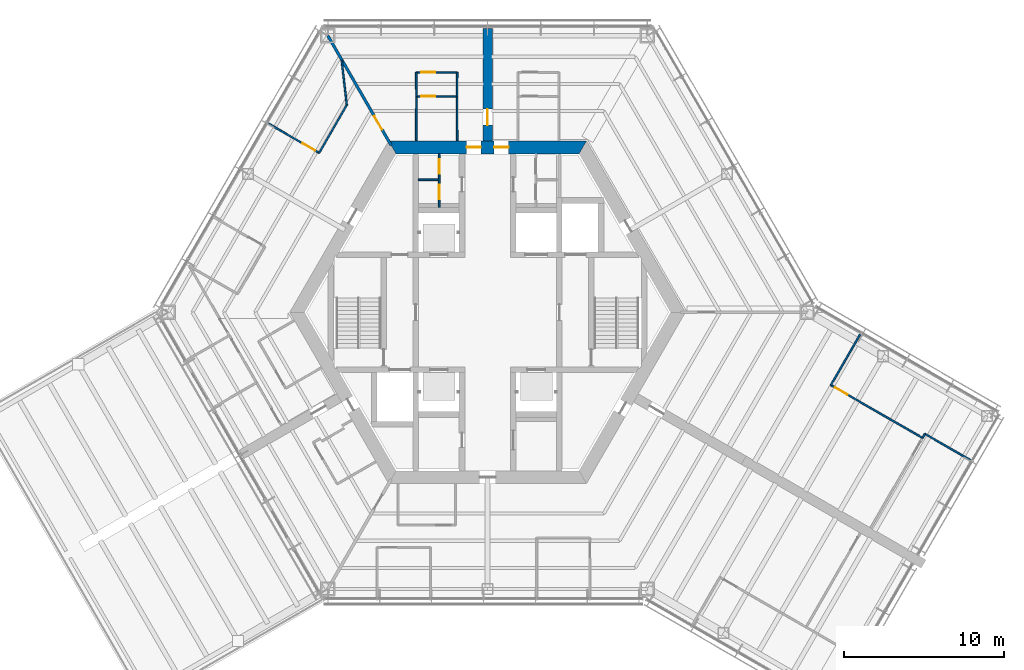
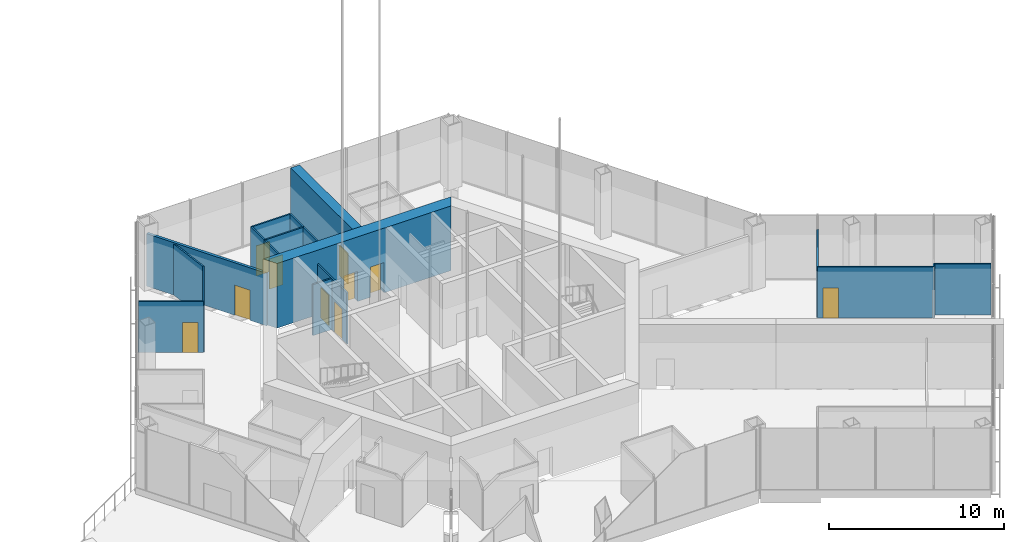
# One storey, part 11 of 17: 18 walls, 10 doors, 10 openings.
"""IFC4 building model written with IfcOpenShell, lengths in metres."""

from ifc_helpers import new_model, si_unit, direction, frame, frame_2d, origin, place, context, subcontext, project, spatial, polyline, rectangle, outline, extrude, material, layer, layer_set, type_object, element, fill, save


model = new_model("IFC4")

# Units and contexts
model_context = context("Model", 3, precision=1e-05, world=origin(), true_north=direction((0.0, 1.0)))
body_context = subcontext(model_context, "Body", "Model", "MODEL_VIEW")
ifc_project = project(units=[si_unit("LENGTHUNIT", "METRE"), si_unit("AREAUNIT", "SQUARE_METRE"), si_unit("VOLUMEUNIT", "CUBIC_METRE"), si_unit("PLANEANGLEUNIT", "RADIAN"), si_unit("MASSUNIT", "GRAM", prefix="KILO")], contexts=[model_context])

# Site, building, storey
site_placement = place(None, origin())
site = spatial("IfcSite", under=ifc_project, at=site_placement, CompositionType="ELEMENT")
building_placement = place(site_placement, origin())
building = spatial("IfcBuilding", under=site, at=building_placement, Name="Kasaneha Research Tower", CompositionType="ELEMENT")
storey_placement = place(building_placement, frame((0.0, 0.0, 208.300048828125)))
storey = spatial("IfcBuildingStorey", under=building, at=storey_placement, Name="L52", CompositionType="ELEMENT", Elevation=208.300048828125)

# Wall, openings, doors
ifc_material_1 = material(Name="Concrete Fc60", Category="concrete")
ifc_layer_1 = layer(ifc_material_1, 0.800048828125)
ifc_layer_set_1 = layer_set([ifc_layer_1], Name="Core wall 800 Fc60")
wall_type_1 = type_object("IfcWallType", Name="Core wall 800 Fc60", PredefinedType="SHEAR", material=ifc_layer_set_1)
wall_1_placement = place(storey_placement, frame((5.961181640625, 10.324951171875, 0.0), z_axis=(0.0, 0.0, 1.0), x_axis=(-1.0, 0.0, 0.0)))
wall_1 = element("IfcWall", 1, at=wall_1_placement, inside=storey, type_object=wall_type_1, Name="Core wall 090 L52", PredefinedType="SHEAR", context=body_context, shape_type="SweptSolid", body=[
    extrude(outline(polyline([(-0.23095703125, -0.39990234375), (4.648681640625, -0.39990234375), (5.548583984375, -0.39990234375), (6.37353515625, -0.39990234375), (7.2734375, -0.39990234375), (12.1533203125, -0.39990234375), (11.69140625, 0.39990234375), (7.2734375, 0.39990234375), (6.37353515625, 0.39990234375), (5.548583984375, 0.39990234375), (4.648681640625, 0.39990234375), (0.23095703125, 0.39990234375), (-0.23095703125, -0.39990234375)])), origin(), (0.0, 0.0, 1.0), 4.5),
])
opening_1_placement = place(wall_1_placement, frame((6.37353515625, 0.0, 0.0)))
opening_1 = element("IfcOpeningElement", 2, at=opening_1_placement, cuts=wall_1, Name="Opening L52-D01", PredefinedType="OPENING", context=body_context, shape_type="SweptSolid", body=[
    extrude(rectangle(XDim=0.89990234375, YDim=2.10009765625, at=frame_2d((0.449951171875, 1.050048828125))), frame((0.0, 0.41015625, 0.0), z_axis=(0.0, -1.0, 0.0), x_axis=(1.0, 0.0, 0.0)), (0.0, 0.0, 1.0), 0.820068359375),
])
opening_2_placement = place(wall_1_placement, frame((4.648681640625, 0.0, 0.0)))
opening_2 = element("IfcOpeningElement", 3, at=opening_2_placement, cuts=wall_1, Name="Opening L52-D02", PredefinedType="OPENING", context=body_context, shape_type="SweptSolid", body=[
    extrude(rectangle(XDim=0.89990234375, YDim=2.10009765625, at=frame_2d((0.449951171875, 1.050048828125))), frame((0.0, 0.41015625, 0.0), z_axis=(0.0, -1.0, 0.0), x_axis=(1.0, 0.0, 0.0)), (0.0, 0.0, 1.0), 0.820068359375),
])
ifc_material_2 = material(Name="Steel", Category="steel")
door_type_1 = type_object("IfcDoorType", Name="Toilet door FD20 900x2100", OperationType="NOTDEFINED", PredefinedType="DOOR", material=ifc_material_2)
door_1_placement = place(opening_1_placement, origin())
door_1 = element("IfcDoor", 4, at=door_1_placement, inside=storey, type_object=door_type_1, Name="Core door north 1 L52-D01", OperationType="SINGLE_SWING_RIGHT", OverallHeight=2.10009765625, OverallWidth=0.89990234375, PredefinedType="DOOR", context=body_context, shape_type="SweptSolid", body=[
    extrude(rectangle(XDim=0.89990234375, YDim=2.10009765625, at=frame_2d((0.449951171875, 1.050048828125))), frame((0.0, 0.02490234375, 0.0), z_axis=(0.0, -1.0, 0.0), x_axis=(1.0, 0.0, 0.0)), (0.0, 0.0, 1.0), 0.050048828125),
])
fill(opening_1, door_1)
door_2_placement = place(opening_2_placement, origin())
door_2 = element("IfcDoor", 5, at=door_2_placement, inside=storey, type_object=door_type_1, Name="Core door north 2 L52-D02", OperationType="SINGLE_SWING_LEFT", OverallHeight=2.10009765625, OverallWidth=0.89990234375, PredefinedType="DOOR", context=body_context, shape_type="SweptSolid", body=[
    extrude(rectangle(XDim=0.89990234375, YDim=2.10009765625, at=frame_2d((0.449951171875, 1.050048828125))), frame((0.0, 0.02490234375, 0.0), z_axis=(0.0, -1.0, 0.0), x_axis=(1.0, 0.0, 0.0)), (0.0, 0.0, 1.0), 0.050048828125),
])
fill(opening_2, door_2)

ifc_material_3 = material(Name="Gypsum board on steel studs, one layer each side", Category="steel")
ifc_layer_2 = layer(ifc_material_3, 0.10009765625)
ifc_layer_set_2 = layer_set([ifc_layer_2], Name="Office partition 100")
wall_type_2 = type_object("IfcWallType", Name="Office partition 100", PredefinedType="PARTITIONING", material=ifc_layer_set_2)
wall_2_placement = place(storey_placement, frame((-3.02490234375, 6.574951171875, 0.0), z_axis=(0.0, 0.0, 1.0), x_axis=(0.0, 1.0, 0.0)))
wall_2 = element("IfcWall", 6, at=wall_2_placement, inside=storey, type_object=wall_type_2, Name="Office partition TBM1 L52", PredefinedType="PARTITIONING", context=body_context, shape_type="SweptSolid", body=[
    extrude(rectangle(XDim=3.35009765625, YDim=0.10009765625, at=frame_2d((1.675048828125, 0.0))), origin(), (0.0, 0.0, 1.0), 3.550048828125),
])
opening_3_placement = place(wall_2_placement, frame((0.512451171875, 0.0, 0.0)))
opening_3 = element("IfcOpeningElement", 7, at=opening_3_placement, cuts=wall_2, Name="Opening L52-D20", PredefinedType="OPENING", context=body_context, shape_type="SweptSolid", body=[
    extrude(rectangle(XDim=0.89990234375, YDim=2.10009765625, at=frame_2d((0.449951171875, 1.050048828125))), frame((0.0, 0.06005859375, 0.0), z_axis=(0.0, -1.0, 0.0), x_axis=(1.0, 0.0, 0.0)), (0.0, 0.0, 1.0), 0.1201171875),
])
opening_4_placement = place(wall_2_placement, frame((2.112548828125, 0.0, 0.0)))
opening_4 = element("IfcOpeningElement", 8, at=opening_4_placement, cuts=wall_2, Name="Opening L52-D21", PredefinedType="OPENING", context=body_context, shape_type="SweptSolid", body=[
    extrude(rectangle(XDim=0.89990234375, YDim=2.10009765625, at=frame_2d((0.449951171875, 1.050048828125))), frame((0.0, 0.06005859375, 0.0), z_axis=(0.0, -1.0, 0.0), x_axis=(1.0, 0.0, 0.0)), (0.0, 0.0, 1.0), 0.1201171875),
])
ifc_material_4 = material(Name="Steel", Category="steel")
door_type_2 = type_object("IfcDoorType", Name="Toilet lobby door FD30 900x2100", OperationType="NOTDEFINED", PredefinedType="DOOR", material=ifc_material_4)
door_3_placement = place(opening_3_placement, origin())
door_3 = element("IfcDoor", 9, at=door_3_placement, inside=storey, type_object=door_type_2, Name="Men's WC door L52-D20", OperationType="SINGLE_SWING_RIGHT", OverallHeight=2.10009765625, OverallWidth=0.89990234375, PredefinedType="DOOR", context=body_context, shape_type="SweptSolid", body=[
    extrude(rectangle(XDim=0.89990234375, YDim=2.10009765625, at=frame_2d((0.449951171875, 1.050048828125))), frame((0.0, 0.02490234375, 0.0), z_axis=(0.0, -1.0, 0.0), x_axis=(1.0, 0.0, 0.0)), (0.0, 0.0, 1.0), 0.050048828125),
])
fill(opening_3, door_3)
door_4_placement = place(opening_4_placement, origin())
door_4 = element("IfcDoor", 10, at=door_4_placement, inside=storey, type_object=door_type_2, Name="Cleaner's store door L52-D21", OperationType="SINGLE_SWING_RIGHT", OverallHeight=2.10009765625, OverallWidth=0.89990234375, PredefinedType="DOOR", context=body_context, shape_type="SweptSolid", body=[
    extrude(rectangle(XDim=0.89990234375, YDim=2.10009765625, at=frame_2d((0.449951171875, 1.050048828125))), frame((0.0, 0.02490234375, 0.0), z_axis=(0.0, -1.0, 0.0), x_axis=(1.0, 0.0, 0.0)), (0.0, 0.0, 1.0), 0.050048828125),
])
fill(opening_4, door_4)

# Wall
wall_3_placement = place(storey_placement, frame((-3.074951171875, 8.300048828125, 0.0), z_axis=(0.0, 0.0, 1.0), x_axis=(-1.0, 0.0, 0.0)))
element("IfcWall", 11, at=wall_3_placement, inside=storey, type_object=wall_type_2, Name="Office partition TBM2 L52", PredefinedType="PARTITIONING", context=body_context, shape_type="SweptSolid", body=[
    extrude(rectangle(XDim=1.25, YDim=0.10009765625, at=frame_2d((0.625, 0.0))), origin(), (0.0, 0.0, 1.0), 3.550048828125),
])

# Wall, opening, door
wall_4_placement = place(storey_placement, frame((-4.465087890625, 13.52001953125, 0.0), z_axis=(0.0, 0.0, 1.0), x_axis=(1.0, 0.0, 0.0)))
wall_4 = element("IfcWall", 12, at=wall_4_placement, inside=storey, type_object=wall_type_2, Name="Office partition FAW01 L52", PredefinedType="PARTITIONING", context=body_context, shape_type="SweptSolid", body=[
    extrude(rectangle(XDim=2.565185546875, YDim=0.10009765625, at=frame_2d((1.28271484375, 0.0))), origin(), (0.0, 0.0, 1.0), 3.550048828125),
])
opening_5_placement = place(wall_4_placement, frame((0.300048828125, 0.0, 0.0)))
opening_5 = element("IfcOpeningElement", 13, at=opening_5_placement, cuts=wall_4, Name="Opening L52-D29", PredefinedType="OPENING", context=body_context, shape_type="SweptSolid", body=[
    extrude(rectangle(XDim=0.89990234375, YDim=2.10009765625, at=frame_2d((0.449951171875, 1.050048828125))), frame((0.0, 0.06005859375, 0.0), z_axis=(0.0, -1.0, 0.0), x_axis=(1.0, 0.0, 0.0)), (0.0, 0.0, 1.0), 0.1201171875),
])
door_5_placement = place(opening_5_placement, origin())
door_5 = element("IfcDoor", 14, at=door_5_placement, inside=storey, type_object=door_type_2, Name="Men's WC door L52-D29", OperationType="SINGLE_SWING_LEFT", OverallHeight=2.10009765625, OverallWidth=0.89990234375, PredefinedType="DOOR", context=body_context, shape_type="SweptSolid", body=[
    extrude(rectangle(XDim=0.89990234375, YDim=2.10009765625, at=frame_2d((0.449951171875, 1.050048828125))), frame((0.0, 0.02490234375, 0.0), z_axis=(0.0, -1.0, 0.0), x_axis=(1.0, 0.0, 0.0)), (0.0, 0.0, 1.0), 0.050048828125),
])
fill(opening_5, door_5)

# Walls
for number, where, z_axis, x_axis, name in (
    (15, (-4.465087890625, 10.7451171875, 0.0), (0.0, 0.0, 1.0), (0.001668713644, 0.999998607696, 0.0), "Office partition FAW02 L52"),
    (16, (-1.90478515625, 13.52490234375, 0.0), (0.0, 0.0, 1.0), (0.001756540413, -0.999998457282, 0.0), "Office partition FAW03 L52"),
):
    element("IfcWall", number, at=place(storey_placement, frame(where, z_axis=z_axis, x_axis=x_axis)), inside=storey, type_object=wall_type_2, Name=name, PredefinedType="PARTITIONING", context=body_context, shape_type="SweptSolid", body=[
        extrude(rectangle(XDim=2.77978515625, YDim=0.10009765625, at=frame_2d((1.389892578125, 0.0))), origin(), (0.0, 0.0, 1.0), 3.550048828125),
    ])

# Wall, opening, door
wall_5_placement = place(storey_placement, frame((-4.465087890625, 15.02490234375, 0.0), z_axis=(0.0, 0.0, 1.0), x_axis=(1.0, 0.0, 0.0)))
wall_5 = element("IfcWall", 17, at=wall_5_placement, inside=storey, type_object=wall_type_2, Name="Office partition FAW04 L52", PredefinedType="PARTITIONING", context=body_context, shape_type="SweptSolid", body=[
    extrude(rectangle(XDim=2.565185546875, YDim=0.10009765625, at=frame_2d((1.28271484375, 0.0))), origin(), (0.0, 0.0, 1.0), 3.550048828125),
])
opening_6_placement = place(wall_5_placement, frame((0.300048828125, 0.0, 0.0)))
opening_6 = element("IfcOpeningElement", 18, at=opening_6_placement, cuts=wall_5, Name="Opening L52-D30", PredefinedType="OPENING", context=body_context, shape_type="SweptSolid", body=[
    extrude(rectangle(XDim=0.89990234375, YDim=2.10009765625, at=frame_2d((0.449951171875, 1.050048828125))), frame((0.0, 0.06005859375, 0.0), z_axis=(0.0, -1.0, 0.0), x_axis=(1.0, 0.0, 0.0)), (0.0, 0.0, 1.0), 0.1201171875),
])
door_6_placement = place(opening_6_placement, origin())
door_6 = element("IfcDoor", 19, at=door_6_placement, inside=storey, type_object=door_type_2, Name="Toilet lobby door L52-D30", OperationType="SINGLE_SWING_LEFT", OverallHeight=2.10009765625, OverallWidth=0.89990234375, PredefinedType="DOOR", context=body_context, shape_type="SweptSolid", body=[
    extrude(rectangle(XDim=0.89990234375, YDim=2.10009765625, at=frame_2d((0.449951171875, 1.050048828125))), frame((0.0, 0.02490234375, 0.0), z_axis=(0.0, -1.0, 0.0), x_axis=(1.0, 0.0, 0.0)), (0.0, 0.0, 1.0), 0.050048828125),
])
fill(opening_6, door_6)

# Walls
for number, where, z_axis, x_axis, name in (
    (20, (-4.46044921875, 13.52490234375, 0.0), (0.0, 0.0, 1.0), (-0.00309243313, 0.999995218417, 0.0), "Office partition FAW05 L52"),
    (21, (-1.89990234375, 15.02490234375, 0.0), (0.0, 0.0, 1.0), (-0.003255191087, -0.999994701851, 0.0), "Office partition FAW06 L52"),
):
    element("IfcWall", number, at=place(storey_placement, frame(where, z_axis=z_axis, x_axis=x_axis)), inside=storey, type_object=wall_type_2, Name=name, PredefinedType="PARTITIONING", context=body_context, shape_type="SweptSolid", body=[
        extrude(rectangle(XDim=1.5, YDim=0.10009765625, at=frame_2d((0.75, 0.0))), origin(), (0.0, 0.0, 1.0), 3.550048828125),
    ])

# Wall, opening, door
wall_6_placement = place(storey_placement, frame((-10.54296875, 9.97998046875, 0.0), z_axis=(0.0, 0.0, 1.0), x_axis=(-0.866031296205, 0.499989793889, 0.0)))
wall_6 = element("IfcWall", 22, at=wall_6_placement, inside=storey, type_object=wall_type_2, Name="Office partition FBN01 L52", PredefinedType="PARTITIONING", context=body_context, shape_type="SweptSolid", body=[
    extrude(rectangle(XDim=3.68896484375, YDim=0.10009765625, at=frame_2d((1.844482421875, 0.0))), origin(), (0.0, 0.0, 1.0), 3.550048828125),
])
opening_7_placement = place(wall_6_placement, frame((0.300048828125, 0.0, 0.0)))
opening_7 = element("IfcOpeningElement", 23, at=opening_7_placement, cuts=wall_6, Name="Opening L52-D31", PredefinedType="OPENING", context=body_context, shape_type="SweptSolid", body=[
    extrude(rectangle(XDim=0.89990234375, YDim=2.10009765625, at=frame_2d((0.449951171875, 1.050048828125))), frame((0.0, 0.06005859375, 0.0), z_axis=(0.0, -1.0, 0.0), x_axis=(1.0, 0.0, 0.0)), (0.0, 0.0, 1.0), 0.1201171875),
])
ifc_material_5 = material(Name="Timber veneer", Category="wood")
door_type_3 = type_object("IfcDoorType", Name="Office door 900x2100", OperationType="SINGLE_SWING_LEFT", PredefinedType="DOOR", material=ifc_material_5)
door_7_placement = place(opening_7_placement, origin())
door_7 = element("IfcDoor", 24, at=door_7_placement, inside=storey, type_object=door_type_3, Name="Meeting room door L52-D31", OperationType="SINGLE_SWING_LEFT", OverallHeight=2.10009765625, OverallWidth=0.89990234375, PredefinedType="DOOR", context=body_context, shape_type="SweptSolid", body=[
    extrude(rectangle(XDim=0.89990234375, YDim=2.10009765625, at=frame_2d((0.449951171875, 1.050048828125))), frame((0.0, 0.02490234375, 0.0), z_axis=(0.0, -1.0, 0.0), x_axis=(1.0, 0.0, 0.0)), (0.0, 0.0, 1.0), 0.050048828125),
])
fill(opening_7, door_7)

# Walls
wall_7_placement = place(storey_placement, frame((-9.135009765625, 15.782470703125, 0.0), z_axis=(0.0, 0.0, 1.0), x_axis=(0.114243611342, -0.993452765494, 0.0)))
element("IfcWall", 25, at=wall_7_placement, inside=storey, type_object=wall_type_2, Name="Office partition FBN02 L52", PredefinedType="PARTITIONING", context=body_context, shape_type="SweptSolid", body=[
    extrude(rectangle(XDim=2.8251953125, YDim=0.10009765625, at=frame_2d((1.41259765625, 0.0))), origin(), (0.0, 0.0, 1.0), 3.550048828125),
])
wall_8_placement = place(storey_placement, frame((-8.812255859375, 12.975830078125, 0.0), z_axis=(0.0, 0.0, 1.0), x_axis=(-0.500229396103, -0.865892921368, 0.0)))
element("IfcWall", 26, at=wall_8_placement, inside=storey, type_object=wall_type_2, Name="Office partition FBN03 L52", PredefinedType="PARTITIONING", context=body_context, shape_type="SweptSolid", body=[
    extrude(rectangle(XDim=3.459716796875, YDim=0.10009765625, at=frame_2d((1.72998046875, 0.0))), origin(), (0.0, 0.0, 1.0), 3.550048828125),
])
wall_9_placement = place(storey_placement, frame((27.383544921875, -7.611572265625, 0.0), z_axis=(0.0, 0.0, 1.0), x_axis=(-0.51497272326, -0.857206564545, 0.0)))
element("IfcWall", 27, at=wall_9_placement, inside=storey, type_object=wall_type_2, Name="Office partition FCE01 L52", PredefinedType="PARTITIONING", context=body_context, shape_type="SweptSolid", body=[
    extrude(rectangle(XDim=0.301025390625, YDim=0.10009765625, at=frame_2d((0.150390625, 0.0))), origin(), (0.0, 0.0, 1.0), 3.550048828125),
])
wall_10_placement = place(storey_placement, frame((30.215576171875, -9.24609375, 0.0), z_axis=(0.0, 0.0, 1.0), x_axis=(-0.866098561983, 0.499873264869, 0.0)))
element("IfcWall", 28, at=wall_10_placement, inside=storey, type_object=wall_type_2, Name="Office partition FCE02 L52", PredefinedType="PARTITIONING", context=body_context, shape_type="SweptSolid", body=[
    extrude(rectangle(XDim=3.269775390625, YDim=0.10009765625, at=frame_2d((1.634765625, 0.0))), origin(), (0.0, 0.0, 1.0), 3.550048828125),
])
wall_11_placement = place(storey_placement, frame((21.4921875, -4.556640625, 0.0), z_axis=(0.0, 0.0, 1.0), x_axis=(0.500013413428, 0.866017659399, 0.0)))
element("IfcWall", 29, at=wall_11_placement, inside=storey, type_object=wall_type_2, Name="Office partition FCE03 L52", PredefinedType="PARTITIONING", context=body_context, shape_type="SweptSolid", body=[
    extrude(rectangle(XDim=3.68017578125, YDim=0.10009765625, at=frame_2d((1.840087890625, 0.0))), origin(), (0.0, 0.0, 1.0), 3.550048828125),
])

# Wall, opening, door
wall_12_placement = place(storey_placement, frame((27.235107421875, -7.86767578125, 0.0), z_axis=(0.0, 0.0, 1.0), x_axis=(-0.866328411177, 0.499474808161, 0.0)))
wall_12 = element("IfcWall", 30, at=wall_12_placement, inside=storey, type_object=wall_type_2, Name="Office partition FCE04 L52", PredefinedType="PARTITIONING", context=body_context, shape_type="SweptSolid", body=[
    extrude(rectangle(XDim=6.629150390625, YDim=0.10009765625, at=frame_2d((3.314453125, 0.0))), origin(), (0.0, 0.0, 1.0), 3.550048828125),
])
opening_8_placement = place(wall_12_placement, frame((5.428955078125, 0.0, 0.0)))
opening_8 = element("IfcOpeningElement", 31, at=opening_8_placement, cuts=wall_12, Name="Opening L52-D38", PredefinedType="OPENING", context=body_context, shape_type="SweptSolid", body=[
    extrude(rectangle(XDim=0.89990234375, YDim=2.10009765625, at=frame_2d((0.449951171875, 1.050048828125))), frame((0.0, 0.06005859375, 0.0), z_axis=(0.0, -1.0, 0.0), x_axis=(1.0, 0.0, 0.0)), (0.0, 0.0, 1.0), 0.1201171875),
])
door_8_placement = place(opening_8_placement, origin())
door_8 = element("IfcDoor", 32, at=door_8_placement, inside=storey, type_object=door_type_3, Name="Meeting room door L52-D38", OperationType="SINGLE_SWING_RIGHT", OverallHeight=2.10009765625, OverallWidth=0.89990234375, PredefinedType="DOOR", context=body_context, shape_type="SweptSolid", body=[
    extrude(rectangle(XDim=0.89990234375, YDim=2.10009765625, at=frame_2d((0.449951171875, 1.050048828125))), frame((0.0, 0.02490234375, 0.0), z_axis=(0.0, -1.0, 0.0), x_axis=(1.0, 0.0, 0.0)), (0.0, 0.0, 1.0), 0.050048828125),
])
fill(opening_8, door_8)

ifc_material_6 = material(Name="Concrete Fc60", Category="concrete")
ifc_layer_3 = layer(ifc_material_6, 0.60009765625)
ifc_layer_set_3 = layer_set([ifc_layer_3], Name="Spine wall 600 Fc60")
wall_type_3 = type_object("IfcWallType", Name="Spine wall 600 Fc60", PredefinedType="SHEAR", material=ifc_layer_set_3)
wall_13_placement = place(storey_placement, frame((0.0, 10.72509765625, 0.0), z_axis=(0.0, 0.0, 1.0), x_axis=(0.0, 1.0, 0.0)))
wall_13 = element("IfcWall", 33, at=wall_13_placement, inside=storey, type_object=wall_type_3, Name="Spine wall A L52", PredefinedType="SHEAR", context=body_context, shape_type="SweptSolid", body=[
    extrude(rectangle(XDim=7.04541015625, YDim=0.60009765625, at=frame_2d((3.522705078125, 0.0))), origin(), (0.0, 0.0, 1.0), 4.5),
])
opening_9_placement = place(wall_13_placement, frame((1.0, 0.0, 0.0)))
opening_9 = element("IfcOpeningElement", 34, at=opening_9_placement, cuts=wall_13, Name="Opening L52-D17", PredefinedType="OPENING", context=body_context, shape_type="SweptSolid", body=[
    extrude(rectangle(XDim=1.0, YDim=2.10009765625, at=frame_2d((0.5, 1.050048828125))), frame((0.0, 0.31005859375, 0.0), z_axis=(0.0, -1.0, 0.0), x_axis=(1.0, 0.0, 0.0)), (0.0, 0.0, 1.0), 0.6201171875),
])
ifc_material_7 = material(Name="Steel", Category="steel")
door_type_4 = type_object("IfcDoorType", Name="Specified fire door FD60 1000x2100", OperationType="NOTDEFINED", PredefinedType="DOOR", material=ifc_material_7)
door_9_placement = place(opening_9_placement, origin())
door_9 = element("IfcDoor", 35, at=door_9_placement, inside=storey, type_object=door_type_4, Name="Spine doorway A L52-D17", OperationType="SINGLE_SWING_LEFT", OverallHeight=2.10009765625, OverallWidth=1.0, PredefinedType="DOOR", context=body_context, shape_type="SweptSolid", body=[
    extrude(rectangle(XDim=1.0, YDim=2.10009765625, at=frame_2d((0.5, 1.050048828125))), frame((0.0, 0.02490234375, 0.0), z_axis=(0.0, -1.0, 0.0), x_axis=(1.0, 0.0, 0.0)), (0.0, 0.0, 1.0), 0.050048828125),
])
fill(opening_9, door_9)

ifc_material_8 = material(Name="Gypsum board on steel studs, two layers each side", Category="steel")
ifc_layer_4 = layer(ifc_material_8, 0.175048828125)
ifc_layer_set_4 = layer_set([ifc_layer_4], Name="Tenancy fire partition 175")
wall_type_4 = type_object("IfcWallType", Name="Tenancy fire partition 175", PredefinedType="PARTITIONING", material=ifc_layer_set_4)
wall_14_placement = place(storey_placement, frame((-6.034912109375, 10.45263671875, 0.0), z_axis=(0.0, 0.0, 1.0), x_axis=(-0.499989830942, 0.866031274813, 0.0)))
wall_14 = element("IfcWall", 36, at=wall_14_placement, inside=storey, type_object=wall_type_4, Name="Tenancy fire partition T120 L52", PredefinedType="PARTITIONING", context=body_context, shape_type="SweptSolid", body=[
    extrude(rectangle(XDim=7.930419921875, YDim=0.175048828125, at=frame_2d((3.96533203125, 0.0))), origin(), (0.0, 0.0, 1.0), 3.64990234375),
])
opening_10_placement = place(wall_14_placement, frame((1.1298828125, 0.0, 0.0)))
opening_10 = element("IfcOpeningElement", 37, at=opening_10_placement, cuts=wall_14, Name="Opening L52-D25", PredefinedType="OPENING", context=body_context, shape_type="SweptSolid", body=[
    extrude(rectangle(XDim=1.0, YDim=2.10009765625, at=frame_2d((0.5, 1.050048828125))), frame((0.0, 0.09765625, 0.0), z_axis=(0.0, -1.0, 0.0), x_axis=(1.0, 0.0, 0.0)), (0.0, 0.0, 1.0), 0.195068359375),
])
ifc_material_9 = material(Name="Steel", Category="steel")
door_type_5 = type_object("IfcDoorType", Name="Suite entrance door FD60 1000x2100", OperationType="NOTDEFINED", PredefinedType="DOOR", material=ifc_material_9)
door_10_placement = place(opening_10_placement, origin())
door_10 = element("IfcDoor", 38, at=door_10_placement, inside=storey, type_object=door_type_5, Name="Connecting door L52-D25", OperationType="SINGLE_SWING_LEFT", OverallHeight=2.10009765625, OverallWidth=1.0, PredefinedType="DOOR", context=body_context, shape_type="SweptSolid", body=[
    extrude(rectangle(XDim=1.0, YDim=2.10009765625, at=frame_2d((0.5, 1.050048828125))), frame((0.0, 0.02490234375, 0.0), z_axis=(0.0, -1.0, 0.0), x_axis=(1.0, 0.0, 0.0)), (0.0, 0.0, 1.0), 0.050048828125),
])
fill(opening_10, door_10)

save(model, "model.ifc")
